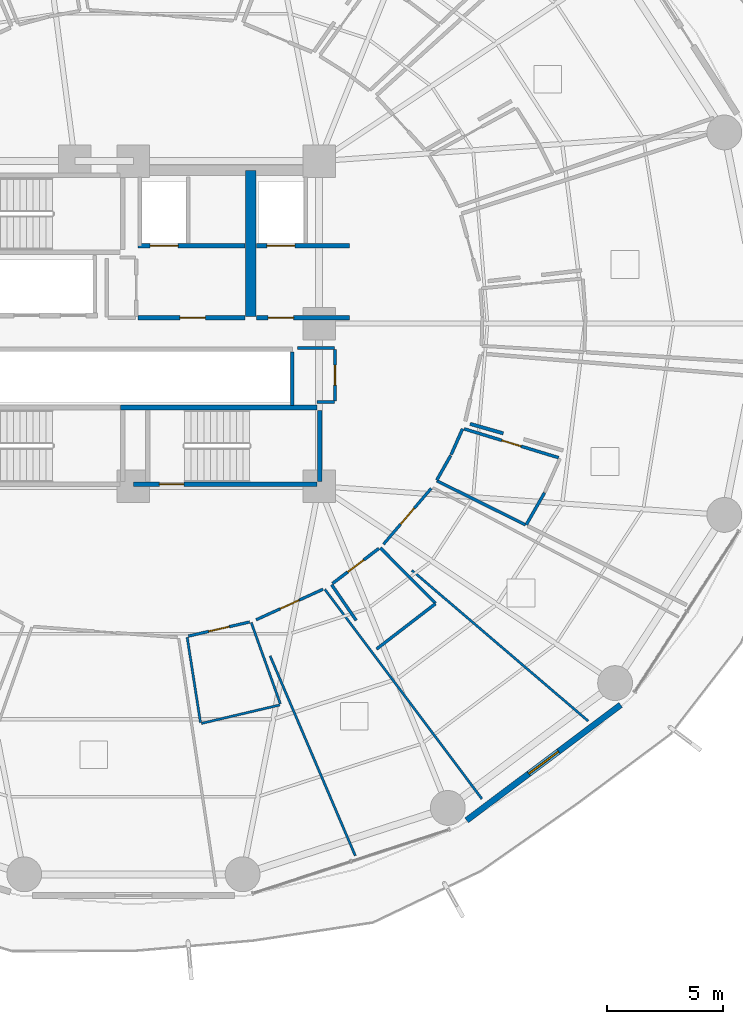
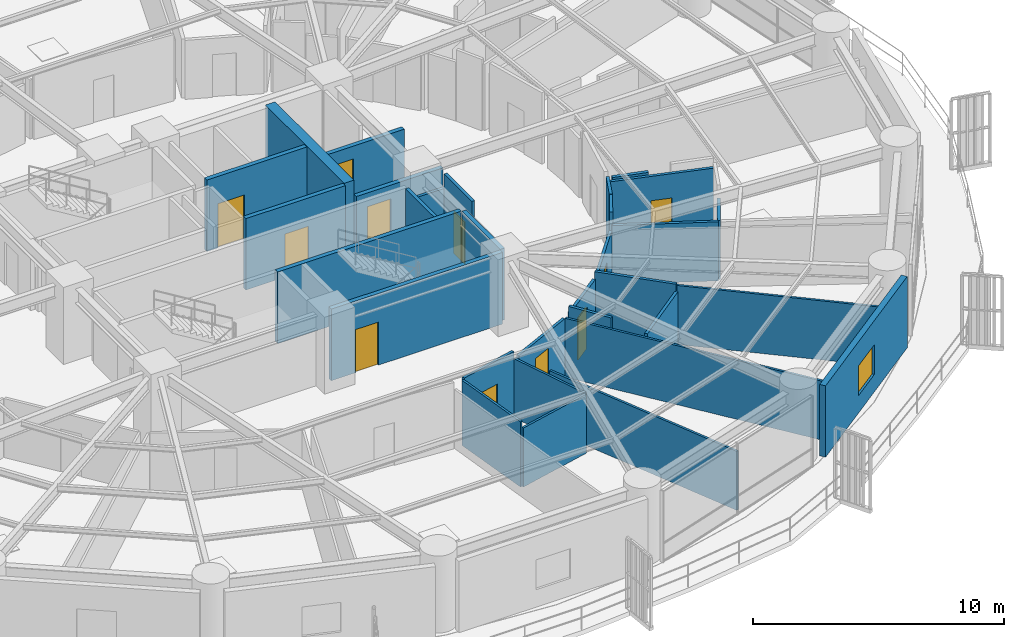
# One storey, part 23 of 31: 32 walls, 11 doors, 1 window, 12 openings.
"""IFC4 building model written with IfcOpenShell, lengths in metres."""

import ifcopenshell
import ifcopenshell.guid

model = None  # the IFC model being written
_history = None  # IfcOwnerHistory: only IFC2X3 demands one
_inside = {}  # id of a spatial element -> (the spatial element, [elements in it])
_under = {}  # id of a project, library or spatial element -> (it, [spatial elements below it])
_declared = {}  # id of a project -> (the project, [libraries it declares])
_typed = {}  # id of a type object -> (the type object, [elements of that type])
_made_of = {}  # id of a material, layer set ... -> (it, [elements and type objects made of it])


def new_model(schema):
    """Start an empty IFC model of exactly this schema.

    Asked for "IFC4X3", IfcOpenShell would pick the latest addendum, in which some entities
    have other attributes; the version numbers below select the first issue.
    IFC2X3 requires an IfcOwnerHistory on every rooted entity: one is made here for all.
    """
    global model, _history
    if schema == "IFC4X3":
        model = ifcopenshell.file(schema_version=(4, 3, 0, 0))
    else:
        model = ifcopenshell.file(schema=schema)
    _inside.clear()
    _under.clear()
    _declared.clear()
    _typed.clear()
    _made_of.clear()
    _history = None
    if model.schema == "IFC2X3":
        org = make("IfcOrganization", Name="unknown")
        user = make(
            "IfcPersonAndOrganization",
            ThePerson=make("IfcPerson", FamilyName="unknown"),
            TheOrganization=org,
        )
        app = make(
            "IfcApplication",
            ApplicationDeveloper=org,
            Version="unknown",
            ApplicationFullName="unknown",
            ApplicationIdentifier="unknown",
        )
        _history = make(
            "IfcOwnerHistory",
            OwningUser=user,
            OwningApplication=app,
            ChangeAction="ADDED",
            CreationDate=0,
        )
    return model


def make(cls, **values):
    """One entity of the class cls with the attributes given. An attribute that is None is left unset."""
    return model.create_entity(
        cls, **{name: value for name, value in values.items() if value is not None}
    )


def rooted(cls, **values):
    """An entity with a GlobalId (a new one), such as an element, a storey or a relation."""
    return make(cls, GlobalId=ifcopenshell.guid.new(), OwnerHistory=_history, **values)


def si_unit(unit_type, name, prefix=None):
    """IfcSIUnit, for example si_unit("LENGTHUNIT", "METRE", prefix="MILLI")."""
    return make("IfcSIUnit", UnitType=unit_type, Prefix=prefix, Name=name)


def assignment(units):
    """IfcUnitAssignment: the units of a project."""
    return None if units is None else make("IfcUnitAssignment", Units=units)


def point(xyz):
    """IfcCartesianPoint."""
    return None if xyz is None else make("IfcCartesianPoint", Coordinates=xyz)


def direction(xyz):
    """IfcDirection."""
    return None if xyz is None else make("IfcDirection", DirectionRatios=xyz)


def frame(location, z_axis=None, x_axis=None):
    """IfcAxis2Placement3D, a coordinate frame: its origin and axes. An axis left out is left unset."""
    return make(
        "IfcAxis2Placement3D",
        Location=point(location),
        Axis=direction(z_axis),
        RefDirection=direction(x_axis),
    )


def frame_2d(location, x_axis=None):
    """IfcAxis2Placement2D, a coordinate frame in the plane: its origin and x axis."""
    return make(
        "IfcAxis2Placement2D", Location=point(location), RefDirection=direction(x_axis)
    )


def origin():
    """The frame at (0, 0, 0) with its axes left unset."""
    return frame((0.0, 0.0, 0.0))


def place(relative_to, where):
    """IfcLocalPlacement: puts the frame where relative to a parent placement (None: the world)."""
    return make(
        "IfcLocalPlacement", PlacementRelTo=relative_to, RelativePlacement=where
    )


def context(
    kind, dimensions, precision=None, world=None, true_north=None, identifier=None
):
    """IfcGeometricRepresentationContext, for example the 3D "Model" context."""
    return make(
        "IfcGeometricRepresentationContext",
        ContextIdentifier=identifier,
        ContextType=kind,
        CoordinateSpaceDimension=dimensions,
        Precision=precision,
        WorldCoordinateSystem=world,
        TrueNorth=true_north,
    )


def subcontext(parent, identifier, kind, view, scale=None):
    """IfcGeometricRepresentationSubContext, for example "Body" below "Model"."""
    return make(
        "IfcGeometricRepresentationSubContext",
        ContextIdentifier=identifier,
        ContextType=kind,
        ParentContext=parent,
        TargetScale=scale,
        TargetView=view,
    )


def project(units=None, contexts=None):
    """IfcProject with its units and contexts."""
    return rooted(
        "IfcProject",
        Name="project",
        RepresentationContexts=contexts,
        UnitsInContext=assignment(units),
    )


def spatial(cls, under=None, at=None, **own):
    """A site, building, storey or space (cls), placed at a placement, below another one or the project."""
    s = rooted(cls, ObjectPlacement=at, **own)
    if under is not None:
        _under.setdefault(under.id(), (under, []))[1].append(s)
    return s


def profile(cls, at=None, kind="AREA", **sizes):
    """A parametric profile (cls). Its sizes go by their IFC names, for example OverallWidth=200.0."""
    return make(cls, ProfileType=kind, Position=at, **sizes)


def rectangle(**sizes):
    """IfcRectangleProfileDef."""
    return profile("IfcRectangleProfileDef", **sizes)


def extrude(swept, where, along, depth):
    """IfcExtrudedAreaSolid: the profile swept, set in the frame where, extruded along a direction by depth."""
    return make(
        "IfcExtrudedAreaSolid",
        SweptArea=swept,
        Position=where,
        ExtrudedDirection=direction(along),
        Depth=depth,
    )


def shape(context_of_items, identifier, shape_type, items):
    """IfcShapeRepresentation: the items that make up one representation, for example the "Body"."""
    return make(
        "IfcShapeRepresentation",
        ContextOfItems=context_of_items,
        RepresentationIdentifier=identifier,
        RepresentationType=shape_type,
        Items=items,
    )


def material(Name=None, Category=None):
    """IfcMaterial."""
    return make("IfcMaterial", Name=Name, Category=Category)


def layer(
    of_material, thickness, ventilated=None, Name=None, Category=None, Priority=None
):
    """IfcMaterialLayer: one layer of a wall or slab, of a material (None: an air gap)."""
    return make(
        "IfcMaterialLayer",
        Material=of_material,
        LayerThickness=thickness,
        IsVentilated=ventilated,
        Name=Name,
        Category=Category,
        Priority=Priority,
    )


def layer_set(layers, Name=None):
    """IfcMaterialLayerSet."""
    return make("IfcMaterialLayerSet", MaterialLayers=layers, LayerSetName=Name)


def made_of(thing, what):
    """Note that an element or type object is made of a material, layer set ...; save() writes the relation."""
    if what is not None:
        _made_of.setdefault(what.id(), (what, []))[1].append(thing)
    return thing


def type_object(cls, material=None, **own):
    """A type object (cls), such as IfcWallType, which elements share."""
    return made_of(rooted(cls, **own), material)


def element(
    cls,
    number,
    at=None,
    inside=None,
    cuts=None,
    type_object=None,
    material=None,
    context=None,
    identifier="Body",
    shape_type=None,
    held_by="IfcProductDefinitionShape",
    body=None,
    shapes=None,
    **own,
):
    """One element of the class cls, such as IfcWall. Its Tag is "e" and its number.

    at: its placement. inside: the storey or other place that contains it. cuts: it is an
    opening in that element (IfcRelVoidsElement). A single representation is given by context,
    identifier, shape_type and body (its items); several are given by shapes. held_by: the class
    of the entity that holds the representations. save() writes the other relations.
    """
    e = rooted(cls, Tag="e%d" % number, ObjectPlacement=at, **own)
    if body is not None:
        shapes = [shape(context, identifier, shape_type, body)]
    if shapes is not None:
        e.Representation = make(held_by, Representations=shapes)
    if inside is not None:
        _inside.setdefault(inside.id(), (inside, []))[1].append(e)
    if cuts is not None:
        rooted(
            "IfcRelVoidsElement", RelatingBuildingElement=cuts, RelatedOpeningElement=e
        )
    if type_object is not None:
        _typed.setdefault(type_object.id(), (type_object, []))[1].append(e)
    return made_of(e, material)


def fill(opening, filler):
    """IfcRelFillsElement: the door or window that sits in an opening."""
    return rooted(
        "IfcRelFillsElement",
        RelatingOpeningElement=opening,
        RelatedBuildingElement=filler,
    )


def aggregate(whole, parts):
    """IfcRelAggregates: a whole, such as a stair, and the parts it consists of."""
    return rooted("IfcRelAggregates", RelatingObject=whole, RelatedObjects=parts)


def save(model, path):
    """Write the relations noted so far, then the file.

    IfcRelAggregates (storeys below a building ...), IfcRelContainedInSpatialStructure (elements
    in a storey), IfcRelDefinesByType, IfcRelAssociatesMaterial and IfcRelDeclares: one each for
    every whole, place, type object, material and project.
    """
    for whole, parts in _under.values():
        aggregate(whole, parts)
    for where, things in _inside.values():
        rooted(
            "IfcRelContainedInSpatialStructure",
            RelatedElements=things,
            RelatingStructure=where,
        )
    for kind, things in _typed.values():
        rooted("IfcRelDefinesByType", RelatedObjects=things, RelatingType=kind)
    for what, things in _made_of.values():
        rooted("IfcRelAssociatesMaterial", RelatedObjects=things, RelatingMaterial=what)
    for by, libraries in _declared.values():
        rooted("IfcRelDeclares", RelatingContext=by, RelatedDefinitions=libraries)
    model.write(path)


model = new_model("IFC4")

# Units and contexts
model_context = context("Model", 3, precision=1e-05, world=origin(), true_north=direction((0.0, 1.0)))
body_context = subcontext(model_context, "Body", "Model", "MODEL_VIEW")
ifc_project = project(units=[si_unit("LENGTHUNIT", "METRE"), si_unit("AREAUNIT", "SQUARE_METRE"), si_unit("VOLUMEUNIT", "CUBIC_METRE"), si_unit("PLANEANGLEUNIT", "RADIAN"), si_unit("MASSUNIT", "GRAM", prefix="KILO")], contexts=[model_context])

# Site, building, storey
site_placement = place(None, origin())
site = spatial("IfcSite", under=ifc_project, at=site_placement, CompositionType="ELEMENT")
building_placement = place(site_placement, origin())
building = spatial("IfcBuilding", under=site, at=building_placement, Name="Kelanora Arch Commons", CompositionType="ELEMENT")
storey_placement = place(building_placement, frame((0.0, 0.0, 63.75)))
storey = spatial("IfcBuildingStorey", under=building, at=storey_placement, Name="L16", CompositionType="ELEMENT", Elevation=63.75)

# Walls
ifc_material_1 = material(Name="Autoclaved aerated concrete blockwork with fire plaster", Category="masonry")
ifc_layer_1 = layer(ifc_material_1, 0.14990234375)
ifc_layer_set_1 = layer_set([ifc_layer_1], Name="Autoclaved aerated concrete blockwork with fire plaster")
wall_type_1 = type_object("IfcWallType", Name="W-COMP-150", PredefinedType="PARTITIONING", material=ifc_layer_set_1)
wall_1_placement = place(storey_placement, frame((80.840087890625, 54.47998046875, 0.0), z_axis=(0.0, 0.0, 1.0), x_axis=(0.0, 1.0, 0.0)))
element("IfcWall", 1, at=wall_1_placement, inside=storey, type_object=wall_type_1, Name="South Lift Bank East Wall L16", PredefinedType="PARTITIONING", context=body_context, shape_type="SweptSolid", body=[
    extrude(rectangle(XDim=2.2900390625, YDim=0.14990234375, at=frame_2d((1.14501953125, 0.0))), origin(), (0.0, 0.0, 1.0), 3.47998046875),
])
wall_2_placement = place(storey_placement, frame((89.927978515625, 53.275634765625, 0.0), z_axis=(0.0, 0.0, 1.0), x_axis=(-0.961462019825, 0.27493778284, 0.0)))
element("IfcWall", 2, at=wall_2_placement, inside=storey, type_object=wall_type_1, Name="Co-Living Studio L16-13 Enclosure Partition 7", PredefinedType="PARTITIONING", context=body_context, shape_type="SweptSolid", body=[
    extrude(rectangle(XDim=1.48828125, YDim=0.14990234375, at=frame_2d((0.744140625, 0.0))), origin(), (0.0, 0.0, 1.0), 3.235107421875),
])
ifc_material_2 = material(Name="Concrete C60/75", Category="concrete")
ifc_layer_2 = layer(ifc_material_2, 0.449951171875)
ifc_layer_set_2 = layer_set([ifc_layer_2], Name="Concrete C60/75")
wall_type_2 = type_object("IfcWallType", Name="W-CORE-450", PredefinedType="SHEAR", material=ifc_layer_set_2)
wall_3_placement = place(storey_placement, frame((79.050048828125, 58.300048828125, 0.0), z_axis=(0.0, 0.0, 1.0), x_axis=(0.0, 1.0, 0.0)))
element("IfcWall", 3, at=wall_3_placement, inside=storey, type_object=wall_type_2, Name="Core Shear Spine L16-CE-N", PredefinedType="SHEAR", context=body_context, shape_type="SweptSolid", body=[
    extrude(rectangle(XDim=6.300048828125, YDim=0.449951171875, at=frame_2d((3.14990234375, 0.0))), origin(), (0.0, 0.0, 1.0), 3.489990234375),
])

# Wall, opening, window
ifc_material_3 = material(Name="Precast concrete C40/50 with terracotta rainscreen", Category="masonry")
ifc_layer_3 = layer(ifc_material_3, 0.260009765625)
ifc_layer_set_3 = layer_set([ifc_layer_3], Name="Precast concrete C40/50 with terracotta rainscreen")
wall_type_3 = type_object("IfcWallType", Name="W-EXT-TC", PredefinedType="SOLIDWALL", material=ifc_layer_set_3)
wall_4_placement = place(storey_placement, frame((88.348876953125, 36.61083984375, 0.0), z_axis=(0.0, 0.0, 1.0), x_axis=(0.80030733173, 0.599590005569, 0.0)))
wall_4 = element("IfcWall", 4, at=wall_4_placement, inside=storey, type_object=wall_type_3, Name="Terracotta Exterior Wall L16-B15", PredefinedType="SOLIDWALL", context=body_context, shape_type="SweptSolid", body=[
    extrude(rectangle(XDim=8.29052734375, YDim=0.260009765625, at=frame_2d((4.145263671875, 0.0))), origin(), (0.0, 0.0, 1.0), 3.47509765625),
])
opening_1_placement = place(wall_4_placement, frame((3.344970703125, 0.0, 0.85009765625)))
opening_1 = element("IfcOpeningElement", 5, at=opening_1_placement, cuts=wall_4, Name="Opening WN-01", PredefinedType="OPENING", context=body_context, shape_type="SweptSolid", body=[
    extrude(rectangle(XDim=1.60009765625, YDim=1.449951171875, at=frame_2d((0.800048828125, 0.72509765625))), frame((0.0, 0.14013671875, 0.0), z_axis=(0.0, -1.0, 0.0), x_axis=(1.0, 0.0, 0.0)), (0.0, 0.0, 1.0), 0.280029296875),
])
ifc_material_4 = material(Name="Terracotta-anodised aluminium frame with operable low-E glazing", Category="masonry")
window_type = type_object("IfcWindowType", Name="WIN-CL-18", PartitioningType="DOUBLE_PANEL_VERTICAL", PredefinedType="WINDOW", material=ifc_material_4)
window_placement = place(opening_1_placement, origin())
window = element("IfcWindow", 6, at=window_placement, inside=storey, type_object=window_type, Name="Co-Living Operable Window L16-B15", OverallHeight=1.449951171875, OverallWidth=1.60009765625, PartitioningType="SINGLE_PANEL", PredefinedType="WINDOW", context=body_context, shape_type="SweptSolid", body=[
    extrude(rectangle(XDim=1.60009765625, YDim=1.449951171875, at=frame_2d((0.800048828125, 0.72509765625))), frame((0.0, 0.030029296875, 0.0), z_axis=(0.0, -1.0, 0.0), x_axis=(1.0, 0.0, 0.0)), (0.0, 0.0, 1.0), 0.06005859375),
])
fill(opening_1, window)

# Wall, opening, door
ifc_material_5 = material(Name="Concrete C40/50", Category="concrete")
ifc_layer_4 = layer(ifc_material_5, 0.199951171875)
ifc_layer_set_4 = layer_set([ifc_layer_4], Name="Concrete C40/50")
wall_type_4 = type_object("IfcWallType", Name="W-FFL-200", PredefinedType="SOLIDWALL", material=ifc_layer_set_4)
wall_5_placement = place(storey_placement, frame((74.199951171875, 61.35009765625, 0.0), z_axis=(0.0, 0.0, 1.0), x_axis=(1.0, 0.0, 0.0)))
wall_5 = element("IfcWall", 7, at=wall_5_placement, inside=storey, type_object=wall_type_4, Name="Firefighting Lift 1 Shaft Front L16", PredefinedType="SOLIDWALL", context=body_context, shape_type="SweptSolid", body=[
    extrude(rectangle(XDim=4.60009765625, YDim=0.199951171875, at=frame_2d((2.300048828125, 0.0))), origin(), (0.0, 0.0, 1.0), 3.47998046875),
])
opening_2_placement = place(wall_5_placement, frame((0.52001953125, 0.0, 0.0)))
opening_2 = element("IfcOpeningElement", 8, at=opening_2_placement, cuts=wall_5, Name="Opening LD-FF", PredefinedType="OPENING", context=body_context, shape_type="SweptSolid", body=[
    extrude(rectangle(XDim=1.199951171875, YDim=2.14990234375, at=frame_2d((0.60009765625, 1.074951171875))), frame((0.0, 0.10986328125, 0.0), z_axis=(0.0, -1.0, 0.0), x_axis=(1.0, 0.0, 0.0)), (0.0, 0.0, 1.0), 0.219970703125),
])
ifc_material_6 = material(Name="Fire-rated firefighters lift sliding landing door")
door_type_1 = type_object("IfcDoorType", Name="D-LIFT-FF", OperationType="NOTDEFINED", PredefinedType="DOOR", material=ifc_material_6)
door_1_placement = place(opening_2_placement, origin())
door_1 = element("IfcDoor", 9, at=door_1_placement, inside=storey, type_object=door_type_1, Name="Firefighting Lift LF-FF1 Landing Door L16", OperationType="DOUBLE_DOOR_SLIDING", OverallHeight=2.14990234375, OverallWidth=1.199951171875, PredefinedType="DOOR", context=body_context, shape_type="SweptSolid", body=[
    extrude(rectangle(XDim=1.199951171875, YDim=2.14990234375, at=frame_2d((0.60009765625, 1.074951171875))), frame((0.0, 0.02490234375, 0.0), z_axis=(0.0, -1.0, 0.0), x_axis=(1.0, 0.0, 0.0)), (0.0, 0.0, 1.0), 0.050048828125),
])
fill(opening_2, door_1)

wall_6_placement = place(storey_placement, frame((79.300048828125, 61.35009765625, 0.0), z_axis=(0.0, 0.0, 1.0), x_axis=(1.0, 0.0, 0.0)))
wall_6 = element("IfcWall", 10, at=wall_6_placement, inside=storey, type_object=wall_type_4, Name="Firefighting Lift 2 Shaft Front L16", PredefinedType="SOLIDWALL", context=body_context, shape_type="SweptSolid", body=[
    extrude(rectangle(XDim=4.0, YDim=0.199951171875, at=frame_2d((2.0, 0.0))), origin(), (0.0, 0.0, 1.0), 2.77490234375),
])
opening_3_placement = place(wall_6_placement, frame((0.449951171875, 0.0, 0.0)))
opening_3 = element("IfcOpeningElement", 11, at=opening_3_placement, cuts=wall_6, Name="Opening LD-FF", PredefinedType="OPENING", context=body_context, shape_type="SweptSolid", body=[
    extrude(rectangle(XDim=1.199951171875, YDim=2.14990234375, at=frame_2d((0.60009765625, 1.074951171875))), frame((0.0, 0.10986328125, 0.0), z_axis=(0.0, -1.0, 0.0), x_axis=(1.0, 0.0, 0.0)), (0.0, 0.0, 1.0), 0.219970703125),
])
door_2_placement = place(opening_3_placement, origin())
door_2 = element("IfcDoor", 12, at=door_2_placement, inside=storey, type_object=door_type_1, Name="Firefighting Lift LF-FF2 Landing Door L16", OperationType="DOUBLE_DOOR_SLIDING", OverallHeight=2.14990234375, OverallWidth=1.199951171875, PredefinedType="DOOR", context=body_context, shape_type="SweptSolid", body=[
    extrude(rectangle(XDim=1.199951171875, YDim=2.14990234375, at=frame_2d((0.60009765625, 1.074951171875))), frame((0.0, 0.02490234375, 0.0), z_axis=(0.0, -1.0, 0.0), x_axis=(1.0, 0.0, 0.0)), (0.0, 0.0, 1.0), 0.050048828125),
])
fill(opening_3, door_2)

wall_7_placement = place(storey_placement, frame((74.199951171875, 58.25, 0.0), z_axis=(0.0, 0.0, 1.0), x_axis=(1.0, 0.0, 0.0)))
wall_7 = element("IfcWall", 13, at=wall_7_placement, inside=storey, type_object=wall_type_4, Name="Firefighting Lobby 1 Enclosure Wall L16", PredefinedType="SOLIDWALL", context=body_context, shape_type="SweptSolid", body=[
    extrude(rectangle(XDim=4.60009765625, YDim=0.199951171875, at=frame_2d((2.300048828125, 0.0))), origin(), (0.0, 0.0, 1.0), 3.47998046875),
])
opening_4_placement = place(wall_7_placement, frame((1.800048828125, 0.0, 0.0)))
opening_4 = element("IfcOpeningElement", 14, at=opening_4_placement, cuts=wall_7, Name="Opening D-FFL1", PredefinedType="OPENING", context=body_context, shape_type="SweptSolid", body=[
    extrude(rectangle(XDim=1.10009765625, YDim=2.10009765625, at=frame_2d((0.550048828125, 1.050048828125))), frame((0.0, 0.10986328125, 0.0), z_axis=(0.0, -1.0, 0.0), x_axis=(1.0, 0.0, 0.0)), (0.0, 0.0, 1.0), 0.219970703125),
])
ifc_material_7 = material(Name="Smoke-sealed firefighting lobby fire door")
door_type_2 = type_object("IfcDoorType", Name="D-FFL-110", OperationType="NOTDEFINED", PredefinedType="DOOR", material=ifc_material_7)
door_3_placement = place(opening_4_placement, frame((1.10009765625, 0.0, 0.0), z_axis=(0.0, 0.0, 1.0), x_axis=(-1.0, 0.0, 0.0)))
door_3 = element("IfcDoor", 15, at=door_3_placement, inside=storey, type_object=door_type_2, Name="Firefighting Lobby 1 Door L16", OperationType="SINGLE_SWING_LEFT", OverallHeight=2.10009765625, OverallWidth=1.10009765625, PredefinedType="DOOR", context=body_context, shape_type="SweptSolid", body=[
    extrude(rectangle(XDim=1.10009765625, YDim=2.10009765625, at=frame_2d((0.550048828125, 1.050048828125))), frame((0.0, 0.02490234375, 0.0), z_axis=(0.0, -1.0, 0.0), x_axis=(1.0, 0.0, 0.0)), (0.0, 0.0, 1.0), 0.050048828125),
])
fill(opening_4, door_3)

wall_8_placement = place(storey_placement, frame((79.300048828125, 58.25, 0.0), z_axis=(0.0, 0.0, 1.0), x_axis=(1.0, 0.0, 0.0)))
wall_8 = element("IfcWall", 16, at=wall_8_placement, inside=storey, type_object=wall_type_4, Name="Firefighting Lobby 2 Enclosure Wall L16", PredefinedType="SOLIDWALL", context=body_context, shape_type="SweptSolid", body=[
    extrude(rectangle(XDim=4.0, YDim=0.199951171875, at=frame_2d((2.0, 0.0))), origin(), (0.0, 0.0, 1.0), 2.77490234375),
])
opening_5_placement = place(wall_8_placement, frame((0.5, 0.0, 0.0)))
opening_5 = element("IfcOpeningElement", 17, at=opening_5_placement, cuts=wall_8, Name="Opening D-FFL1", PredefinedType="OPENING", context=body_context, shape_type="SweptSolid", body=[
    extrude(rectangle(XDim=1.10009765625, YDim=2.10009765625, at=frame_2d((0.550048828125, 1.050048828125))), frame((0.0, 0.10986328125, 0.0), z_axis=(0.0, -1.0, 0.0), x_axis=(1.0, 0.0, 0.0)), (0.0, 0.0, 1.0), 0.219970703125),
])
door_4_placement = place(opening_5_placement, frame((1.10009765625, 0.0, 0.0), z_axis=(0.0, 0.0, 1.0), x_axis=(-1.0, 0.0, 0.0)))
door_4 = element("IfcDoor", 18, at=door_4_placement, inside=storey, type_object=door_type_2, Name="Firefighting Lobby 2 Door L16", OperationType="SINGLE_SWING_RIGHT", OverallHeight=2.10009765625, OverallWidth=1.10009765625, PredefinedType="DOOR", context=body_context, shape_type="SweptSolid", body=[
    extrude(rectangle(XDim=1.10009765625, YDim=2.10009765625, at=frame_2d((0.550048828125, 1.050048828125))), frame((0.0, 0.02490234375, 0.0), z_axis=(0.0, -1.0, 0.0), x_axis=(1.0, 0.0, 0.0)), (0.0, 0.0, 1.0), 0.050048828125),
])
fill(opening_5, door_4)

# Walls
ifc_material_8 = material(Name="Lightweight fire-rated acoustic stud partition")
ifc_layer_5 = layer(ifc_material_8, 0.10009765625)
ifc_layer_set_5 = layer_set([ifc_layer_5], Name="Lightweight fire-rated acoustic stud partition")
wall_type_5 = type_object("IfcWallType", Name="W-PART-100", PredefinedType="PARTITIONING", material=ifc_layer_set_5)
wall_9_placement = place(storey_placement, frame((79.074462890625, 45.12841796875, 0.0), z_axis=(0.0, 0.0, 1.0), x_axis=(0.336806149261, -0.941574010803, 0.0)))
element("IfcWall", 19, at=wall_9_placement, inside=storey, type_object=wall_type_5, Name="Student Laundry Room L16-11 Enclosure Partition 2", PredefinedType="PARTITIONING", context=body_context, shape_type="SweptSolid", body=[
    extrude(rectangle(XDim=3.719970703125, YDim=0.10009765625, at=frame_2d((1.85986328125, 0.0))), origin(), (0.0, 0.0, 1.0), 2.875),
])
wall_10_placement = place(storey_placement, frame((80.302001953125, 41.578857421875, 0.0), z_axis=(0.0, 0.0, 1.0), x_axis=(-0.973403286496, -0.229098323518, 0.0)))
element("IfcWall", 20, at=wall_10_placement, inside=storey, type_object=wall_type_5, Name="Student Laundry Room L16-11 Enclosure Partition 3", PredefinedType="PARTITIONING", context=body_context, shape_type="SweptSolid", body=[
    extrude(rectangle(XDim=3.460205078125, YDim=0.10009765625, at=frame_2d((1.72998046875, 0.0))), origin(), (0.0, 0.0, 1.0), 2.875),
])
wall_11_placement = place(storey_placement, frame((76.888916015625, 40.81640625, 0.0), z_axis=(0.0, 0.0, 1.0), x_axis=(-0.153950475789, 0.988078565198, 0.0)))
element("IfcWall", 21, at=wall_11_placement, inside=storey, type_object=wall_type_5, Name="Student Laundry Room L16-11 Enclosure Partition 4", PredefinedType="PARTITIONING", context=body_context, shape_type="SweptSolid", body=[
    extrude(rectangle(XDim=3.720458984375, YDim=0.10009765625, at=frame_2d((1.8603515625, 0.0))), origin(), (0.0, 0.0, 1.0), 3.175048828125),
])
wall_12_placement = place(storey_placement, frame((82.243896484375, 46.556884765625, 0.0), z_axis=(0.0, 0.0, 1.0), x_axis=(0.599892569248, -0.800080561794, 0.0)))
element("IfcWall", 22, at=wall_12_placement, inside=storey, type_object=wall_type_5, Name="Quiet Reading Carrel L16-11 Enclosure Partition 2", PredefinedType="PARTITIONING", context=body_context, shape_type="SweptSolid", body=[
    extrude(rectangle(XDim=11.2724609375, YDim=0.10009765625, at=frame_2d((5.63623046875, 0.0))), origin(), (0.0, 0.0, 1.0), 2.875),
])
wall_13_placement = place(storey_placement, frame((83.55322265625, 35.0888671875, 0.0), z_axis=(0.0, 0.0, 1.0), x_axis=(-0.392154212845, 0.919899490895, 0.0)))
element("IfcWall", 23, at=wall_13_placement, inside=storey, type_object=wall_type_5, Name="Quiet Reading Carrel L16-11 Enclosure Partition 4", PredefinedType="PARTITIONING", context=body_context, shape_type="SweptSolid", body=[
    extrude(rectangle(XDim=9.35205078125, YDim=0.10009765625, at=frame_2d((4.676025390625, 0.0))), origin(), (0.0, 0.0, 1.0), 2.875),
])
wall_14_placement = place(storey_placement, frame((93.588623046875, 40.885009765625, 0.0), z_axis=(0.0, 0.0, 1.0), x_axis=(-0.760200523841, 0.649688512713, 0.0)))
element("IfcWall", 24, at=wall_14_placement, inside=storey, type_object=wall_type_5, Name="Tutorial Study Alcove L16-12 Enclosure Partition 4", PredefinedType="PARTITIONING", context=body_context, shape_type="SweptSolid", body=[
    extrude(rectangle(XDim=9.99658203125, YDim=0.10009765625, at=frame_2d((4.998291015625, 0.0))), origin(), (0.0, 0.0, 1.0), 2.875),
])

# Wall, opening, door
ifc_material_9 = material(Name="Acoustic twin-stud fire-rated gypsum partition")
ifc_layer_6 = layer(ifc_material_9, 0.1201171875)
ifc_layer_set_6 = layer_set([ifc_layer_6], Name="Acoustic twin-stud fire-rated gypsum partition")
wall_type_6 = type_object("IfcWallType", Name="W-PART-120", PredefinedType="PARTITIONING", material=ifc_layer_set_6)
wall_15_placement = place(storey_placement, frame((76.368408203125, 44.54541015625, 0.0), z_axis=(0.0, 0.0, 1.0), x_axis=(0.974445966729, 0.224622033484, 0.0)))
wall_15 = element("IfcWall", 25, at=wall_15_placement, inside=storey, type_object=wall_type_6, Name="Student Laundry Room L16-11 Entry Partition", PredefinedType="PARTITIONING", context=body_context, shape_type="SweptSolid", body=[
    extrude(rectangle(XDim=2.703125, YDim=0.1201171875, at=frame_2d((1.3515625, 0.0))), origin(), (0.0, 0.0, 1.0), 3.235107421875),
])
opening_6_placement = place(wall_15_placement, frame((0.902099609375, 0.0, 0.0)))
opening_6 = element("IfcOpeningElement", 26, at=opening_6_placement, cuts=wall_15, Name="Opening D-RM1", PredefinedType="OPENING", context=body_context, shape_type="SweptSolid", body=[
    extrude(rectangle(XDim=0.89990234375, YDim=2.080078125, at=frame_2d((0.449951171875, 1.0400390625))), frame((0.0, 0.070068359375, 0.0), z_axis=(0.0, -1.0, 0.0), x_axis=(1.0, 0.0, 0.0)), (0.0, 0.0, 1.0), 0.14013671875),
])
ifc_material_10 = material(Name="Acoustic fire-rated timber study and lounge door", Category="wood")
door_type_3 = type_object("IfcDoorType", Name="D-ROOM-90", OperationType="NOTDEFINED", PredefinedType="DOOR", material=ifc_material_10)
door_5_placement = place(opening_6_placement, origin())
door_5 = element("IfcDoor", 27, at=door_5_placement, inside=storey, type_object=door_type_3, Name="Student Laundry Room L16-11 Door", OperationType="SINGLE_SWING_RIGHT", OverallHeight=2.080078125, OverallWidth=0.89990234375, PredefinedType="DOOR", context=body_context, shape_type="SweptSolid", body=[
    extrude(rectangle(XDim=0.89990234375, YDim=2.080078125, at=frame_2d((0.449951171875, 1.0400390625))), frame((0.0, 0.02490234375, 0.0), z_axis=(0.0, -1.0, 0.0), x_axis=(1.0, 0.0, 0.0)), (0.0, 0.0, 1.0), 0.050048828125),
])
fill(opening_6, door_5)

wall_16_placement = place(storey_placement, frame((79.28759765625, 45.248046875, 0.0), z_axis=(0.0, 0.0, 1.0), x_axis=(0.909426123825, 0.415865513483, 0.0)))
wall_16 = element("IfcWall", 28, at=wall_16_placement, inside=storey, type_object=wall_type_6, Name="Quiet Reading Carrel L16-11 Entry Partition", PredefinedType="PARTITIONING", context=body_context, shape_type="SweptSolid", body=[
    extrude(rectangle(XDim=3.164306640625, YDim=0.1201171875, at=frame_2d((1.58203125, 0.0))), origin(), (0.0, 0.0, 1.0), 2.875),
])
opening_7_placement = place(wall_16_placement, frame((1.132080078125, 0.0, 0.0)))
opening_7 = element("IfcOpeningElement", 29, at=opening_7_placement, cuts=wall_16, Name="Opening D-RM1", PredefinedType="OPENING", context=body_context, shape_type="SweptSolid", body=[
    extrude(rectangle(XDim=0.89990234375, YDim=2.080078125, at=frame_2d((0.449951171875, 1.0400390625))), frame((0.0, 0.070068359375, 0.0), z_axis=(0.0, -1.0, 0.0), x_axis=(1.0, 0.0, 0.0)), (0.0, 0.0, 1.0), 0.14013671875),
])
door_6_placement = place(opening_7_placement, origin())
door_6 = element("IfcDoor", 30, at=door_6_placement, inside=storey, type_object=door_type_3, Name="Quiet Reading Carrel L16-11 Door", OperationType="SINGLE_SWING_LEFT", OverallHeight=2.080078125, OverallWidth=0.89990234375, PredefinedType="DOOR", context=body_context, shape_type="SweptSolid", body=[
    extrude(rectangle(XDim=0.89990234375, YDim=2.080078125, at=frame_2d((0.449951171875, 1.0400390625))), frame((0.0, 0.02490234375, 0.0), z_axis=(0.0, -1.0, 0.0), x_axis=(1.0, 0.0, 0.0)), (0.0, 0.0, 1.0), 0.050048828125),
])
fill(opening_7, door_6)

wall_17_placement = place(storey_placement, frame((84.76904296875, 48.501708984375, 0.0), z_axis=(0.0, 0.0, 1.0), x_axis=(0.649870238328, 0.760045178483, 0.0)))
wall_17 = element("IfcWall", 31, at=wall_17_placement, inside=storey, type_object=wall_type_6, Name="Tutorial Study Alcove L16-12 Entry Partition", PredefinedType="PARTITIONING", context=body_context, shape_type="SweptSolid", body=[
    extrude(rectangle(XDim=3.16650390625, YDim=0.1201171875, at=frame_2d((1.583251953125, 0.0))), origin(), (0.0, 0.0, 1.0), 2.875),
])
opening_8_placement = place(wall_17_placement, frame((1.133056640625, 0.0, 0.0)))
opening_8 = element("IfcOpeningElement", 32, at=opening_8_placement, cuts=wall_17, Name="Opening D-RM1", PredefinedType="OPENING", context=body_context, shape_type="SweptSolid", body=[
    extrude(rectangle(XDim=0.89990234375, YDim=2.080078125, at=frame_2d((0.449951171875, 1.0400390625))), frame((0.0, 0.070068359375, 0.0), z_axis=(0.0, -1.0, 0.0), x_axis=(1.0, 0.0, 0.0)), (0.0, 0.0, 1.0), 0.14013671875),
])
door_7_placement = place(opening_8_placement, origin())
door_7 = element("IfcDoor", 33, at=door_7_placement, inside=storey, type_object=door_type_3, Name="Tutorial Study Alcove L16-12 Door", OperationType="SINGLE_SWING_LEFT", OverallHeight=2.080078125, OverallWidth=0.89990234375, PredefinedType="DOOR", context=body_context, shape_type="SweptSolid", body=[
    extrude(rectangle(XDim=0.89990234375, YDim=2.080078125, at=frame_2d((0.449951171875, 1.0400390625))), frame((0.0, 0.02490234375, 0.0), z_axis=(0.0, -1.0, 0.0), x_axis=(1.0, 0.0, 0.0)), (0.0, 0.0, 1.0), 0.050048828125),
])
fill(opening_8, door_7)

ifc_layer_7 = layer(ifc_material_5, 0.199951171875)
ifc_layer_set_7 = layer_set([ifc_layer_7], Name="Concrete C40/50")
wall_type_7 = type_object("IfcWallType", Name="W-STAIR-200", PredefinedType="SHEAR", material=ifc_layer_set_7)
wall_18_placement = place(storey_placement, frame((74.0, 51.080078125, 0.0), z_axis=(0.0, 0.0, 1.0), x_axis=(1.0, 0.0, 0.0)))
wall_18 = element("IfcWall", 34, at=wall_18_placement, inside=storey, type_object=wall_type_7, Name="Stair ST-T2 Shaft Wall S L16", PredefinedType="SHEAR", context=body_context, shape_type="SweptSolid", body=[
    extrude(rectangle(XDim=7.89990234375, YDim=0.199951171875, at=frame_2d((3.949951171875, 0.0))), origin(), (0.0, 0.0, 1.0), 3.489990234375),
])
opening_9_placement = place(wall_18_placement, frame((1.1201171875, 0.0, 0.0)))
opening_9 = element("IfcOpeningElement", 35, at=opening_9_placement, cuts=wall_18, Name="Opening D-ST1", PredefinedType="OPENING", context=body_context, shape_type="SweptSolid", body=[
    extrude(rectangle(XDim=1.050048828125, YDim=2.10009765625, at=frame_2d((0.52490234375, 1.050048828125))), frame((0.0, 0.10986328125, 0.0), z_axis=(0.0, -1.0, 0.0), x_axis=(1.0, 0.0, 0.0)), (0.0, 0.0, 1.0), 0.219970703125),
])
ifc_material_11 = material(Name="Steel fire-rated stairwell escape door", Category="steel")
door_type_4 = type_object("IfcDoorType", Name="D-STAIR-110", OperationType="NOTDEFINED", PredefinedType="DOOR", material=ifc_material_11)
door_8_placement = place(opening_9_placement, origin())
door_8 = element("IfcDoor", 36, at=door_8_placement, inside=storey, type_object=door_type_4, Name="Stair ST-T2 Escape Door L16", OperationType="SINGLE_SWING_LEFT", OverallHeight=2.10009765625, OverallWidth=1.050048828125, PredefinedType="DOOR", context=body_context, shape_type="SweptSolid", body=[
    extrude(rectangle(XDim=1.050048828125, YDim=2.10009765625, at=frame_2d((0.52490234375, 1.050048828125))), frame((0.0, 0.02490234375, 0.0), z_axis=(0.0, -1.0, 0.0), x_axis=(1.0, 0.0, 0.0)), (0.0, 0.0, 1.0), 0.050048828125),
])
fill(opening_9, door_8)

# Walls
wall_19_placement = place(storey_placement, frame((82.02001953125, 51.199951171875, 0.0), z_axis=(0.0, 0.0, 1.0), x_axis=(0.0, 1.0, 0.0)))
element("IfcWall", 37, at=wall_19_placement, inside=storey, type_object=wall_type_7, Name="Stair ST-T2 Shaft Wall E L16", PredefinedType="SHEAR", context=body_context, shape_type="SweptSolid", body=[
    extrude(rectangle(XDim=3.070068359375, YDim=0.199951171875, at=frame_2d((1.53515625, 0.0))), origin(), (0.0, 0.0, 1.0), 3.489990234375),
])
wall_20_placement = place(storey_placement, frame((81.89990234375, 54.389892578125, 0.0), z_axis=(0.0, 0.0, 1.0), x_axis=(-1.0, 0.0, 0.0)))
element("IfcWall", 38, at=wall_20_placement, inside=storey, type_object=wall_type_7, Name="Stair ST-T2 Shaft Wall N L16", PredefinedType="SHEAR", context=body_context, shape_type="SweptSolid", body=[
    extrude(rectangle(XDim=8.4599609375, YDim=0.199951171875, at=frame_2d((4.22998046875, 0.0))), origin(), (0.0, 0.0, 1.0), 3.489990234375),
])

# Wall, opening, door
ifc_material_12 = material(Name="Moisture-resistant fire-rated cement-board plumbing wall")
ifc_layer_8 = layer(ifc_material_12, 0.1298828125)
ifc_layer_set_8 = layer_set([ifc_layer_8], Name="Moisture-resistant fire-rated cement-board plumbing wall")
wall_type_8 = type_object("IfcWallType", Name="W-WET-120", PredefinedType="PLUMBINGWALL", material=ifc_layer_set_8)
wall_21_placement = place(storey_placement, frame((82.679931640625, 54.679931640625, 0.0), z_axis=(0.0, 0.0, 1.0), x_axis=(0.0, 1.0, 0.0)))
wall_21 = element("IfcWall", 39, at=wall_21_placement, inside=storey, type_object=wall_type_8, Name="Core Accessible Unisex WC L16 Entry Partition", PredefinedType="PLUMBINGWALL", context=body_context, shape_type="SweptSolid", body=[
    extrude(rectangle(XDim=2.2099609375, YDim=0.1298828125, at=frame_2d((1.10498046875, 0.0))), origin(), (0.0, 0.0, 1.0), 3.47998046875),
])
opening_10_placement = place(wall_21_placement, frame((0.675048828125, 0.0, 0.0)))
opening_10 = element("IfcOpeningElement", 40, at=opening_10_placement, cuts=wall_21, Name="Opening D-BT1", PredefinedType="OPENING", context=body_context, shape_type="SweptSolid", body=[
    extrude(rectangle(XDim=0.860107421875, YDim=2.050048828125, at=frame_2d((0.43017578125, 1.02490234375))), frame((0.0, 0.074951171875, 0.0), z_axis=(0.0, -1.0, 0.0), x_axis=(1.0, 0.0, 0.0)), (0.0, 0.0, 1.0), 0.14990234375),
])
ifc_material_13 = material(Name="Moisture-sealed fire-rated accessible bathroom door")
door_type_5 = type_object("IfcDoorType", Name="D-BATH-85", OperationType="NOTDEFINED", PredefinedType="DOOR", material=ifc_material_13)
door_9_placement = place(opening_10_placement, origin())
door_9 = element("IfcDoor", 41, at=door_9_placement, inside=storey, type_object=door_type_5, Name="Core Accessible Unisex WC L16 Door", OperationType="SINGLE_SWING_LEFT", OverallHeight=2.050048828125, OverallWidth=0.860107421875, PredefinedType="DOOR", context=body_context, shape_type="SweptSolid", body=[
    extrude(rectangle(XDim=0.860107421875, YDim=2.050048828125, at=frame_2d((0.43017578125, 1.02490234375))), frame((0.0, 0.02490234375, 0.0), z_axis=(0.0, -1.0, 0.0), x_axis=(1.0, 0.0, 0.0)), (0.0, 0.0, 1.0), 0.050048828125),
])
fill(opening_10, door_9)

wall_22_placement = place(storey_placement, frame((82.572998046875, 46.81103515625, 0.0), z_axis=(0.0, 0.0, 1.0), x_axis=(0.7983589592, 0.602181843188, 0.0)))
wall_22 = element("IfcWall", 42, at=wall_22_placement, inside=storey, type_object=wall_type_8, Name="Accessible Shared Floor WC L16-12 Entry Partition", PredefinedType="PLUMBINGWALL", context=body_context, shape_type="SweptSolid", body=[
    extrude(rectangle(XDim=2.50390625, YDim=0.1298828125, at=frame_2d((1.251953125, 0.0))), origin(), (0.0, 0.0, 1.0), 2.875),
])
opening_11_placement = place(wall_22_placement, frame((0.822021484375, 0.0, 0.0)))
opening_11 = element("IfcOpeningElement", 43, at=opening_11_placement, cuts=wall_22, Name="Opening D-BT1", PredefinedType="OPENING", context=body_context, shape_type="SweptSolid", body=[
    extrude(rectangle(XDim=0.860107421875, YDim=2.050048828125, at=frame_2d((0.43017578125, 1.02490234375))), frame((0.0, 0.074951171875, 0.0), z_axis=(0.0, -1.0, 0.0), x_axis=(1.0, 0.0, 0.0)), (0.0, 0.0, 1.0), 0.14990234375),
])
door_10_placement = place(opening_11_placement, origin())
door_10 = element("IfcDoor", 44, at=door_10_placement, inside=storey, type_object=door_type_5, Name="Accessible Shared Floor WC L16-12 Door", OperationType="SINGLE_SWING_RIGHT", OverallHeight=2.050048828125, OverallWidth=0.860107421875, PredefinedType="DOOR", context=body_context, shape_type="SweptSolid", body=[
    extrude(rectangle(XDim=0.860107421875, YDim=2.050048828125, at=frame_2d((0.43017578125, 1.02490234375))), frame((0.0, 0.02490234375, 0.0), z_axis=(0.0, -1.0, 0.0), x_axis=(1.0, 0.0, 0.0)), (0.0, 0.0, 1.0), 0.050048828125),
])
fill(opening_11, door_10)

wall_23_placement = place(storey_placement, frame((88.240478515625, 53.470458984375, 0.0), z_axis=(0.0, 0.0, 1.0), x_axis=(0.956456460619, -0.291875039941, 0.0)))
wall_23 = element("IfcWall", 45, at=wall_23_placement, inside=storey, type_object=wall_type_8, Name="En-Suite Shower WC L16-13 Entry Partition", PredefinedType="PLUMBINGWALL", context=body_context, shape_type="SweptSolid", body=[
    extrude(rectangle(XDim=4.26171875, YDim=0.1298828125, at=frame_2d((2.130859375, 0.0))), origin(), (0.0, 0.0, 1.0), 3.235107421875),
])
opening_12_placement = place(wall_23_placement, frame((1.700927734375, 0.0, 0.0)))
opening_12 = element("IfcOpeningElement", 46, at=opening_12_placement, cuts=wall_23, Name="Opening D-BT1", PredefinedType="OPENING", context=body_context, shape_type="SweptSolid", body=[
    extrude(rectangle(XDim=0.860107421875, YDim=2.050048828125, at=frame_2d((0.43017578125, 1.02490234375))), frame((0.0, 0.074951171875, 0.0), z_axis=(0.0, -1.0, 0.0), x_axis=(1.0, 0.0, 0.0)), (0.0, 0.0, 1.0), 0.14990234375),
])
door_11_placement = place(opening_12_placement, origin())
door_11 = element("IfcDoor", 47, at=door_11_placement, inside=storey, type_object=door_type_5, Name="En-Suite Shower WC L16-13 Door", OperationType="SINGLE_SWING_RIGHT", OverallHeight=2.050048828125, OverallWidth=0.860107421875, PredefinedType="DOOR", context=body_context, shape_type="SweptSolid", body=[
    extrude(rectangle(XDim=0.860107421875, YDim=2.050048828125, at=frame_2d((0.43017578125, 1.02490234375))), frame((0.0, 0.02490234375, 0.0), z_axis=(0.0, -1.0, 0.0), x_axis=(1.0, 0.0, 0.0)), (0.0, 0.0, 1.0), 0.050048828125),
])
fill(opening_12, door_11)

# Walls
wall_24_placement = place(storey_placement, frame((81.89990234375, 54.6201171875, 0.0), z_axis=(0.0, 0.0, 1.0), x_axis=(1.0, 0.0, 0.0)))
element("IfcWall", 48, at=wall_24_placement, inside=storey, type_object=wall_type_8, Name="Core Accessible Unisex WC L16 Enclosure Partition 1", PredefinedType="PLUMBINGWALL", context=body_context, shape_type="SweptSolid", body=[
    extrude(rectangle(XDim=0.760009765625, YDim=0.1298828125, at=frame_2d((0.3798828125, 0.0))), origin(), (0.0, 0.0, 1.0), 2.77490234375),
])
wall_25_placement = place(storey_placement, frame((82.659912109375, 56.949951171875, 0.0), z_axis=(0.0, 0.0, 1.0), x_axis=(-1.0, 0.0, 0.0)))
element("IfcWall", 49, at=wall_25_placement, inside=storey, type_object=wall_type_8, Name="Core Accessible Unisex WC L16 Enclosure Partition 3", PredefinedType="PLUMBINGWALL", context=body_context, shape_type="SweptSolid", body=[
    extrude(rectangle(XDim=1.58984375, YDim=0.1298828125, at=frame_2d((0.794921875, 0.0))), origin(), (0.0, 0.0, 1.0), 2.77490234375),
])
wall_26_placement = place(storey_placement, frame((84.634033203125, 48.3408203125, 0.0), z_axis=(0.0, 0.0, 1.0), x_axis=(0.706525219412, -0.707687865047, 0.0)))
element("IfcWall", 50, at=wall_26_placement, inside=storey, type_object=wall_type_8, Name="Accessible Shared Floor WC L16-12 Enclosure Partition 2", PredefinedType="PLUMBINGWALL", context=body_context, shape_type="SweptSolid", body=[
    extrude(rectangle(XDim=3.35986328125, YDim=0.1298828125, at=frame_2d((1.679931640625, 0.0))), origin(), (0.0, 0.0, 1.0), 3.235107421875),
])
wall_27_placement = place(storey_placement, frame((87.006103515625, 45.936767578125, 0.0), z_axis=(0.0, 0.0, 1.0), x_axis=(-0.792836735531, -0.609434090606, 0.0)))
element("IfcWall", 51, at=wall_27_placement, inside=storey, type_object=wall_type_8, Name="Accessible Shared Floor WC L16-12 Enclosure Partition 3", PredefinedType="PLUMBINGWALL", context=body_context, shape_type="SweptSolid", body=[
    extrude(rectangle(XDim=3.19873046875, YDim=0.1298828125, at=frame_2d((1.599365234375, 0.0))), origin(), (0.0, 0.0, 1.0), 2.875),
])
wall_28_placement = place(storey_placement, frame((83.59521484375, 45.221435546875, 0.0), z_axis=(0.0, 0.0, 1.0), x_axis=(-0.567283552716, 0.823522538136, 0.0)))
element("IfcWall", 52, at=wall_28_placement, inside=storey, type_object=wall_type_8, Name="Accessible Shared Floor WC L16-12 Enclosure Partition 4", PredefinedType="PLUMBINGWALL", context=body_context, shape_type="SweptSolid", body=[
    extrude(rectangle(XDim=1.866455078125, YDim=0.1298828125, at=frame_2d((0.93310546875, 0.0))), origin(), (0.0, 0.0, 1.0), 3.235107421875),
])
wall_29_placement = place(storey_placement, frame((87.061767578125, 51.25830078125, 0.0), z_axis=(0.0, 0.0, 1.0), x_axis=(0.492353040676, 0.870395590141, 0.0)))
element("IfcWall", 53, at=wall_29_placement, inside=storey, type_object=wall_type_8, Name="En-Suite Shower WC L16-13 Enclosure Partition 1", PredefinedType="PLUMBINGWALL", context=body_context, shape_type="SweptSolid", body=[
    extrude(rectangle(XDim=1.223876953125, YDim=0.1298828125, at=frame_2d((0.61181640625, 0.0))), origin(), (0.0, 0.0, 1.0), 3.47998046875),
])
wall_30_placement = place(storey_placement, frame((87.68212890625, 52.359375, 0.0), z_axis=(0.0, 0.0, 1.0), x_axis=(0.405578959261, 0.91406001324, 0.0)))
element("IfcWall", 54, at=wall_30_placement, inside=storey, type_object=wall_type_8, Name="En-Suite Shower WC L16-13 Enclosure Partition 2", PredefinedType="PLUMBINGWALL", context=body_context, shape_type="SweptSolid", body=[
    extrude(rectangle(XDim=1.21484375, YDim=0.1298828125, at=frame_2d((0.607421875, 0.0))), origin(), (0.0, 0.0, 1.0), 3.47998046875),
])
wall_31_placement = place(storey_placement, frame((91.705078125, 50.718505859375, 0.0), z_axis=(0.0, 0.0, 1.0), x_axis=(-0.495740967081, -0.868470433324, 0.0)))
element("IfcWall", 55, at=wall_31_placement, inside=storey, type_object=wall_type_8, Name="En-Suite Shower WC L16-13 Enclosure Partition 5", PredefinedType="PLUMBINGWALL", context=body_context, shape_type="SweptSolid", body=[
    extrude(rectangle(XDim=1.585693359375, YDim=0.1298828125, at=frame_2d((0.79296875, 0.0))), origin(), (0.0, 0.0, 1.0), 2.875),
])
wall_32_placement = place(storey_placement, frame((90.89111328125, 49.3330078125, 0.0), z_axis=(0.0, 0.0, 1.0), x_axis=(-0.895500211225, 0.4450610876, 0.0)))
element("IfcWall", 56, at=wall_32_placement, inside=storey, type_object=wall_type_8, Name="En-Suite Shower WC L16-13 Enclosure Partition 6", PredefinedType="PLUMBINGWALL", context=body_context, shape_type="SweptSolid", body=[
    extrude(rectangle(XDim=4.26708984375, YDim=0.1298828125, at=frame_2d((2.133544921875, 0.0))), origin(), (0.0, 0.0, 1.0), 2.875),
])

save(model, "model.ifc")
